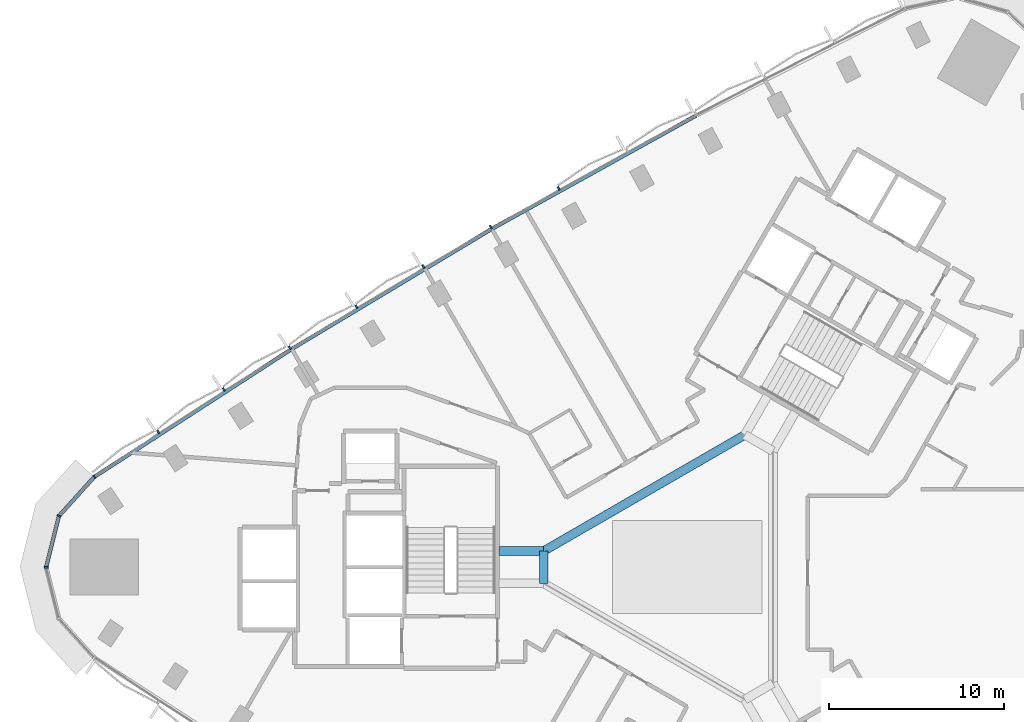
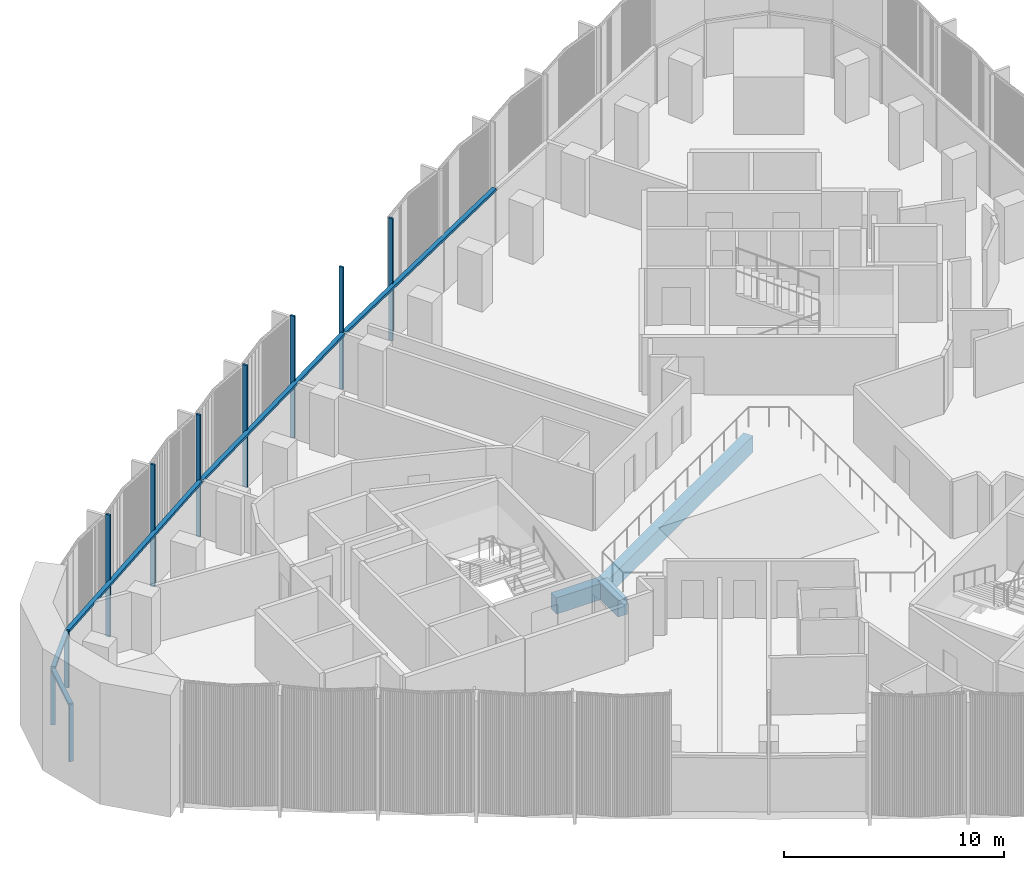
# One storey, part 4 of 15: 15 members, 3 beams, 1 element without a shape of its own.
"""IFC4 building model written with IfcOpenShell, lengths in metres."""

from ifc_helpers import new_model, si_unit, direction, frame, origin, origin_2d, place, context, subcontext, project, spatial, rectangle, extrude, material, material_profile, profile_set, type_object, element, aggregate, save


model = new_model("IFC4")

# Units and contexts
model_context = context("Model", 3, precision=1e-05, world=origin(), true_north=direction((0.0, 1.0)))
body_context = subcontext(model_context, "Body", "Model", "MODEL_VIEW")
ifc_project = project(units=[si_unit("LENGTHUNIT", "METRE"), si_unit("AREAUNIT", "SQUARE_METRE"), si_unit("VOLUMEUNIT", "CUBIC_METRE"), si_unit("PLANEANGLEUNIT", "RADIAN"), si_unit("MASSUNIT", "GRAM", prefix="KILO")], contexts=[model_context])

# Site, building, storey
site_placement = place(None, origin())
site = spatial("IfcSite", under=ifc_project, at=site_placement, CompositionType="ELEMENT")
building_placement = place(site_placement, origin())
building = spatial("IfcBuilding", under=site, at=building_placement, Name="Tamra Quay Hotel Tower", CompositionType="ELEMENT")
storey_placement = place(building_placement, frame((0.0, 0.0, 79.39990234375)))
storey = spatial("IfcBuildingStorey", under=building, at=storey_placement, Name="L18", CompositionType="ELEMENT", Elevation=79.39990234375)

# Beams
ifc_material_1 = material(Name="Concrete M60", Category="concrete")
ifc_material_profile_1 = material_profile(ifc_material_1, rectangle(XDim=0.5, YDim=0.89990234375, at=origin_2d()), Name="ATRIUM EDGE BEAM RC 500x900")
ifc_profile_set_1 = profile_set([ifc_material_profile_1], Name="Concrete M60")
beam_type_1 = type_object("IfcBeamType", Name="ATRIUM EDGE BEAM RC 500x900", PredefinedType="BEAM", material=ifc_profile_set_1)
beam_1_placement = place(storey_placement, frame((-8.199951171875, -0.923828125, -0.875), z_axis=(0.0, 1.0, 0.0), x_axis=(-1.0, 0.0, 0.0)))
element("IfcBeam", 1, at=beam_1_placement, inside=storey, type_object=beam_type_1, Name="BM-AB3-L18", PredefinedType="BEAM", context=body_context, shape_type="SweptSolid", body=[
    extrude(rectangle(XDim=0.5, YDim=0.89990234375, at=origin_2d()), origin(), (0.0, 0.0, 1.0), 1.84765625),
])
beam_2_placement = place(storey_placement, frame((-8.199951171875, 0.923828125, -0.875), z_axis=(0.866029440693, 0.499993007805, 0.0), x_axis=(-0.499993007805, 0.866029440693, 0.0)))
element("IfcBeam", 2, at=beam_2_placement, inside=storey, type_object=beam_type_1, Name="BM-AB4-L18", PredefinedType="BEAM", context=body_context, shape_type="SweptSolid", body=[
    extrude(rectangle(XDim=0.5, YDim=0.89990234375, at=origin_2d()), origin(), (0.0, 0.0, 1.0), 13.279052734375),
])
ifc_material_profile_2 = material_profile(ifc_material_1, rectangle(XDim=0.5, YDim=0.89990234375, at=origin_2d()), Name="ATRIUM TIE BEAM RC 500x900")
ifc_profile_set_2 = profile_set([ifc_material_profile_2], Name="Concrete M60")
beam_type_2 = type_object("IfcBeamType", Name="ATRIUM TIE BEAM RC 500x900", PredefinedType="BEAM", material=ifc_profile_set_2)
beam_3_placement = place(storey_placement, frame((-8.199951171875, 0.923828125, -0.875), z_axis=(-1.0, 0.0, 0.0), x_axis=(0.0, -1.0, 0.0)))
element("IfcBeam", 3, at=beam_3_placement, inside=storey, type_object=beam_type_2, Name="BM-TIE-4-L18", PredefinedType="BEAM", context=body_context, shape_type="SweptSolid", body=[
    extrude(rectangle(XDim=0.5, YDim=0.89990234375, at=origin_2d()), origin(), (0.0, 0.0, 1.0), 2.562255859375),
])

# Curtain wall, members
ifc_material_2 = material(Name="Aluminium 6063 anodised dark grey", Category="aluminium")
curtain_wall_type = type_object("IfcCurtainWallType", Name="CW2 CURTAIN WALL", PredefinedType="NOTDEFINED", material=ifc_material_2)
curtain_wall_placement = place(storey_placement, origin())
curtain_wall = element("IfcCurtainWall", 4, at=curtain_wall_placement, inside=storey, type_object=curtain_wall_type, Name="CW2 north-west face L18", PredefinedType="NOTDEFINED")
ifc_material_profile_3 = material_profile(ifc_material_2, rectangle(XDim=0.219970703125, YDim=0.10009765625, at=origin_2d()), Name="MULLION 100X220")
ifc_profile_set_3 = profile_set([ifc_material_profile_3], Name="Aluminium 6063 anodised dark grey")
member_type_1 = type_object("IfcMemberType", Name="MULLION CW2 Z2", PredefinedType="MULLION", material=ifc_profile_set_3)
member_1_placement = place(storey_placement, frame((-7.341796875, 21.646728515625, 0.0), z_axis=(0.0, 0.0, 1.0), x_axis=(-0.490074355228, 0.87168063323, 0.0)))
member_1 = element("IfcMember", 5, at=member_1_placement, type_object=member_type_1, Name="CW2 mullion L18.NW.6", PredefinedType="MULLION", context=body_context, shape_type="SweptSolid", body=[
    extrude(rectangle(XDim=0.219970703125, YDim=0.10009765625, at=origin_2d()), origin(), (0.0, 0.0, 1.0), 6.775146484375),
])
member_2_placement = place(storey_placement, frame((-11.221435546875, 19.436279296875, 0.0), z_axis=(0.0, 0.0, 1.0), x_axis=(-0.5, 0.866025403784, 0.0)))
member_2 = element("IfcMember", 6, at=member_2_placement, type_object=member_type_1, Name="CW2 mullion L18.NW.7", PredefinedType="MULLION", context=body_context, shape_type="SweptSolid", body=[
    extrude(rectangle(XDim=0.219970703125, YDim=0.10009765625, at=origin_2d()), origin(), (0.0, 0.0, 1.0), 6.775146484375),
])
member_3_placement = place(storey_placement, frame((-15.07568359375, 17.181396484375, 0.0), z_axis=(0.0, 0.0, 1.0), x_axis=(-0.50986039475, 0.860257157985, 0.0)))
member_3 = element("IfcMember", 7, at=member_3_placement, type_object=member_type_1, Name="CW2 mullion L18.NW.8", PredefinedType="MULLION", context=body_context, shape_type="SweptSolid", body=[
    extrude(rectangle(XDim=0.219970703125, YDim=0.10009765625, at=origin_2d()), origin(), (0.0, 0.0, 1.0), 6.775146484375),
])
member_4_placement = place(storey_placement, frame((-18.90380859375, 14.883056640625, 0.0), z_axis=(0.0, 0.0, 1.0), x_axis=(-0.519649964402, 0.854379256827, 0.0)))
member_4 = element("IfcMember", 8, at=member_4_placement, type_object=member_type_1, Name="CW2 mullion L18.NW.9", PredefinedType="MULLION", context=body_context, shape_type="SweptSolid", body=[
    extrude(rectangle(XDim=0.219970703125, YDim=0.10009765625, at=origin_2d()), origin(), (0.0, 0.0, 1.0), 6.775146484375),
])
member_5_placement = place(storey_placement, frame((-22.70556640625, 12.540771484375, 0.0), z_axis=(0.0, 0.0, 1.0), x_axis=(-0.529364244047, 0.848394658826, 0.0)))
member_5 = element("IfcMember", 9, at=member_5_placement, type_object=member_type_1, Name="CW2 mullion L18.NW.10", PredefinedType="MULLION", context=body_context, shape_type="SweptSolid", body=[
    extrude(rectangle(XDim=0.219970703125, YDim=0.10009765625, at=origin_2d()), origin(), (0.0, 0.0, 1.0), 6.775146484375),
])
member_6_placement = place(storey_placement, frame((-26.480224609375, 10.155517578125, 0.0), z_axis=(0.0, 0.0, 1.0), x_axis=(-0.538998382955, 0.842306798721, 0.0)))
member_6 = element("IfcMember", 10, at=member_6_placement, type_object=member_type_1, Name="CW2 mullion L18.NW.11", PredefinedType="MULLION", context=body_context, shape_type="SweptSolid", body=[
    extrude(rectangle(XDim=0.219970703125, YDim=0.10009765625, at=origin_2d()), origin(), (0.0, 0.0, 1.0), 6.775146484375),
])
member_7_placement = place(storey_placement, frame((-30.2275390625, 7.7275390625, 0.0), z_axis=(0.0, 0.0, 1.0), x_axis=(-0.548547395815, 0.836119461886, 0.0)))
member_7 = element("IfcMember", 11, at=member_7_placement, type_object=member_type_1, Name="CW2 mullion L18.NW.12", PredefinedType="MULLION", context=body_context, shape_type="SweptSolid", body=[
    extrude(rectangle(XDim=0.219970703125, YDim=0.10009765625, at=origin_2d()), origin(), (0.0, 0.0, 1.0), 6.775146484375),
])
member_8_placement = place(storey_placement, frame((-33.88525390625, 5.166015625, 0.0), z_axis=(0.0, 0.0, 1.0), x_axis=(-0.652886907072, 0.757455402366, 0.0)))
member_8 = element("IfcMember", 12, at=member_8_placement, type_object=member_type_1, Name="CW2 mullion L18.NW.13", PredefinedType="MULLION", context=body_context, shape_type="SweptSolid", body=[
    extrude(rectangle(XDim=0.219970703125, YDim=0.10009765625, at=origin_2d()), origin(), (0.0, 0.0, 1.0), 3.175048828125),
])
member_9_placement = place(storey_placement, frame((-35.90673828125, 2.9267578125, 0.0), z_axis=(0.0, 0.0, 1.0), x_axis=(-0.882543846683, 0.47023011248, 0.0)))
member_9 = element("IfcMember", 13, at=member_9_placement, type_object=member_type_1, Name="CW2 mullion L18.NW.14", PredefinedType="MULLION", context=body_context, shape_type="SweptSolid", body=[
    extrude(rectangle(XDim=0.219970703125, YDim=0.10009765625, at=origin_2d()), origin(), (0.0, 0.0, 1.0), 3.175048828125),
])
member_10_placement = place(storey_placement, frame((-36.6376953125, 0.0, 0.0), z_axis=(0.0, 0.0, 1.0), x_axis=(-1.0, 0.0, 0.0)))
member_10 = element("IfcMember", 14, at=member_10_placement, type_object=member_type_1, Name="CW2 mullion L18.NW.15", PredefinedType="MULLION", context=body_context, shape_type="SweptSolid", body=[
    extrude(rectangle(XDim=0.219970703125, YDim=0.10009765625, at=origin_2d()), origin(), (0.0, 0.0, 1.0), 3.175048828125),
])
ifc_material_profile_4 = material_profile(ifc_material_2, rectangle(XDim=0.219970703125, YDim=0.139892578125, at=origin_2d()), Name="TRANSOM 220X140")
ifc_profile_set_4 = profile_set([ifc_material_profile_4], Name="Aluminium 6063 anodised dark grey")
member_type_2 = type_object("IfcMemberType", Name="TRANSOM CW2 Z2", PredefinedType="USERDEFINED", material=ifc_profile_set_4)
member_11_placement = place(storey_placement, frame((0.499755859375, 25.813232421875, 3.10498046875), z_axis=(-0.874463819192, -0.48509074298, 0.0), x_axis=(0.48509074298, -0.874463819192, 0.0)))
member_11 = element("IfcMember", 15, at=member_11_placement, type_object=member_type_2, Name="CW2 transom L18.NW.4", ObjectType="TRANSOM", PredefinedType="USERDEFINED", context=body_context, shape_type="SweptSolid", body=[
    extrude(rectangle(XDim=0.219970703125, YDim=0.139892578125, at=origin_2d()), origin(), (0.0, 0.0, 1.0), 13.291259765625),
])
member_12_placement = place(storey_placement, frame((-11.209716796875, 19.315673828125, 3.10498046875), z_axis=(-0.857334050853, -0.514760454238, 0.0), x_axis=(0.514760454238, -0.857334050853, 0.0)))
member_12 = element("IfcMember", 16, at=member_12_placement, type_object=member_type_2, Name="CW2 transom L18.NW.7", ObjectType="TRANSOM", PredefinedType="USERDEFINED", context=body_context, shape_type="SweptSolid", body=[
    extrude(rectangle(XDim=0.219970703125, YDim=0.139892578125, at=origin_2d()), origin(), (0.0, 0.0, 1.0), 13.291259765625),
])
member_13_placement = place(storey_placement, frame((-22.689453125, 12.4208984375, 3.10498046875), z_axis=(-0.839227967527, -0.543779751849, 0.0), x_axis=(0.543779751849, -0.839227967527, 0.0)))
member_13 = element("IfcMember", 17, at=member_13_placement, type_object=member_type_2, Name="CW2 transom L18.NW.10", ObjectType="TRANSOM", PredefinedType="USERDEFINED", context=body_context, shape_type="SweptSolid", body=[
    extrude(rectangle(XDim=0.219970703125, YDim=0.139892578125, at=origin_2d()), origin(), (0.0, 0.0, 1.0), 13.290771484375),
])
member_14_placement = place(storey_placement, frame((-33.918701171875, 5.12890625, 3.10498046875), z_axis=(-0.670064659649, -0.742302736011, 0.0), x_axis=(0.742302736011, -0.670064659649, 0.0)))
member_14 = element("IfcMember", 18, at=member_14_placement, type_object=member_type_2, Name="CW2 transom L18.NW.13", ObjectType="TRANSOM", PredefinedType="USERDEFINED", context=body_context, shape_type="SweptSolid", body=[
    extrude(rectangle(XDim=0.219970703125, YDim=0.139892578125, at=origin_2d()), origin(), (0.0, 0.0, 1.0), 2.916748046875),
])
member_15_placement = place(storey_placement, frame((-35.918701171875, 2.878173828125, 3.10498046875), z_axis=(-0.242338656789, -0.970191720963, 0.0), x_axis=(0.970191720963, -0.242338656789, 0.0)))
member_15 = element("IfcMember", 19, at=member_15_placement, type_object=member_type_2, Name="CW2 transom L18.NW.14", ObjectType="TRANSOM", PredefinedType="USERDEFINED", context=body_context, shape_type="SweptSolid", body=[
    extrude(rectangle(XDim=0.219970703125, YDim=0.139892578125, at=origin_2d()), origin(), (0.0, 0.0, 1.0), 2.91650390625),
])
aggregate(curtain_wall, [member_11, member_1, member_2, member_12, member_3, member_4, member_5, member_13, member_6, member_7, member_8, member_14, member_9, member_15, member_10])

save(model, "model.ifc")
